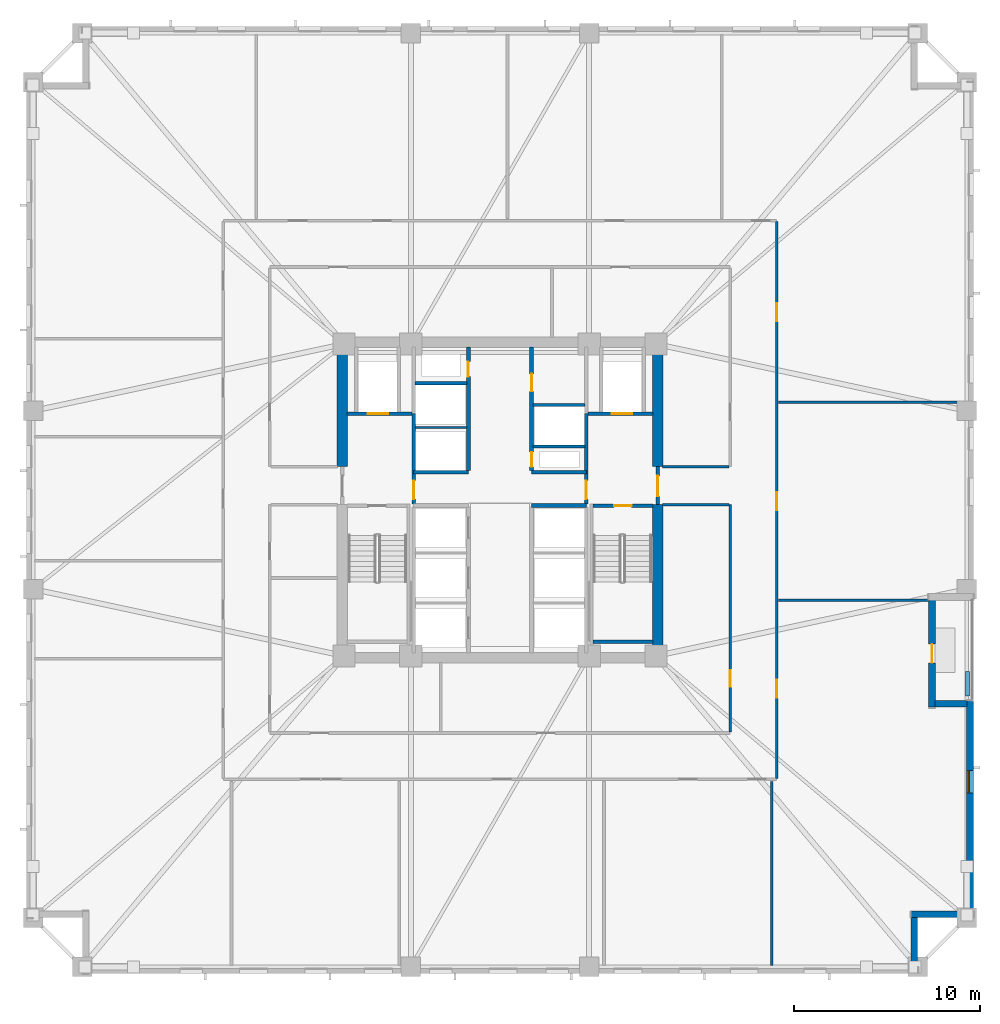
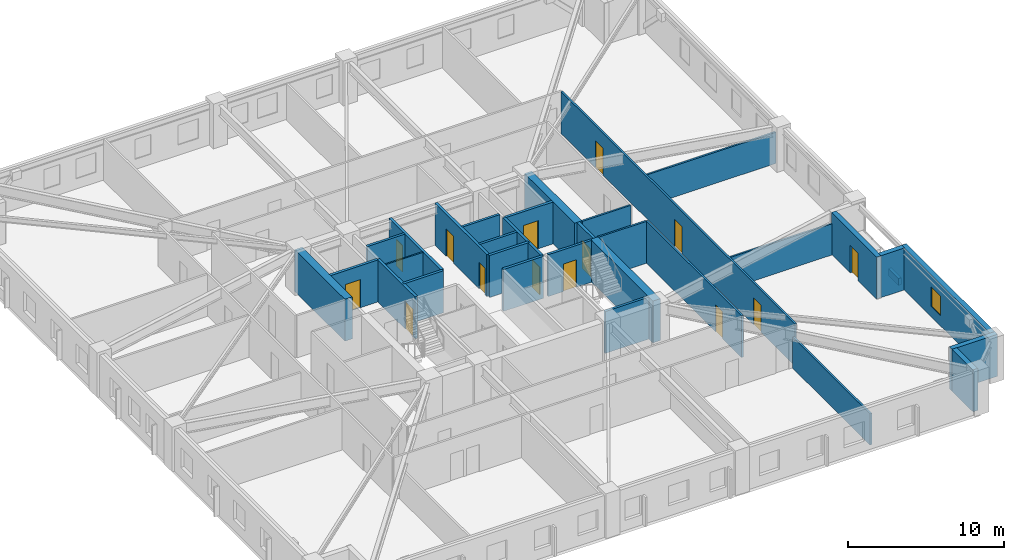
# One storey, part 4 of 11: 32 walls, 14 doors, 1 window, 15 openings.
"""IFC4 building model written with IfcOpenShell, lengths in metres."""

from ifc_helpers import new_model, si_unit, direction, frame, frame_2d, origin, place, context, subcontext, project, spatial, rectangle, extrude, material, layer, layer_set, type_object, element, fill, save


model = new_model("IFC4")

# Units and contexts
model_context = context("Model", 3, precision=1e-05, world=origin(), true_north=direction((0.0, 1.0)))
body_context = subcontext(model_context, "Body", "Model", "MODEL_VIEW")
ifc_project = project(units=[si_unit("LENGTHUNIT", "METRE"), si_unit("AREAUNIT", "SQUARE_METRE"), si_unit("VOLUMEUNIT", "CUBIC_METRE"), si_unit("PLANEANGLEUNIT", "RADIAN"), si_unit("MASSUNIT", "GRAM", prefix="KILO")], contexts=[model_context])

# Site, building, storey
site_placement = place(None, origin())
site = spatial("IfcSite", under=ifc_project, at=site_placement, CompositionType="ELEMENT")
building_placement = place(site_placement, origin())
building = spatial("IfcBuilding", under=site, at=building_placement, Name="Cairnveth Concourse Tower", CompositionType="ELEMENT")
storey_placement = place(building_placement, frame((0.0, 0.0, 62.0)))
storey = spatial("IfcBuildingStorey", under=building, at=storey_placement, Name="L16", CompositionType="ELEMENT", Elevation=62.0)

# Walls
ifc_material_1 = material(Name="Concrete N80 (80 MPa)", Category="concrete")
ifc_layer_1 = layer(ifc_material_1, 0.550048828125)
ifc_layer_set_1 = layer_set([ifc_layer_1], Name="Concrete N80 (80 MPa)")
wall_type_1 = type_object("IfcWallType", Name="CORE SHEAR WALL 550", PredefinedType="SHEAR", material=ifc_layer_set_1)
wall_1_placement = place(storey_placement, frame((43.5, 40.800048828125, 0.0), z_axis=(0.0, 0.0, 1.0), x_axis=(0.0, 1.0, 0.0)))
element("IfcWall", 1, at=wall_1_placement, inside=storey, type_object=wall_type_1, Name="Core West Shear Wall N L16", PredefinedType="SHEAR", context=body_context, shape_type="SweptSolid", body=[
    extrude(rectangle(XDim=6.43505859375, YDim=0.550048828125, at=frame_2d((3.217529296875, 0.0))), origin(), (0.0, 0.0, 1.0), 3.280029296875),
])
wall_2_placement = place(storey_placement, frame((60.5, 30.764892578125, 0.0), z_axis=(0.0, 0.0, 1.0), x_axis=(0.0, 1.0, 0.0)))
element("IfcWall", 2, at=wall_2_placement, inside=storey, type_object=wall_type_1, Name="Core East Shear Wall S L16", PredefinedType="SHEAR", context=body_context, shape_type="SweptSolid", body=[
    extrude(rectangle(XDim=7.985107421875, YDim=0.550048828125, at=frame_2d((3.99267578125, 0.0))), origin(), (0.0, 0.0, 1.0), 3.280029296875),
])
wall_3_placement = place(storey_placement, frame((60.5, 40.800048828125, 0.0), z_axis=(0.0, 0.0, 1.0), x_axis=(0.0, 1.0, 0.0)))
element("IfcWall", 3, at=wall_3_placement, inside=storey, type_object=wall_type_1, Name="Core East Shear Wall N L16", PredefinedType="SHEAR", context=body_context, shape_type="SweptSolid", body=[
    extrude(rectangle(XDim=6.43505859375, YDim=0.550048828125, at=frame_2d((3.217529296875, 0.0))), origin(), (0.0, 0.0, 1.0), 3.280029296875),
])
ifc_material_2 = material(Name="Concrete N50 (50 MPa)", Category="concrete")
ifc_layer_2 = layer(ifc_material_2, 0.179931640625)
ifc_layer_set_2 = layer_set([ifc_layer_2], Name="Concrete N50 (50 MPa)")
wall_type_2 = type_object("IfcWallType", Name="FIRE SHAFT WALL 180", PredefinedType="SOLIDWALL", material=ifc_layer_set_2)
wall_4_placement = place(storey_placement, frame((47.425048828125, 45.280029296875, 0.0), z_axis=(0.0, 0.0, 1.0), x_axis=(1.0, 0.0, 0.0)))
element("IfcWall", 4, at=wall_4_placement, inside=storey, type_object=wall_type_2, Name="Interior Wall IW-L16-033", PredefinedType="SOLIDWALL", context=body_context, shape_type="SweptSolid", body=[
    extrude(rectangle(XDim=2.7900390625, YDim=0.179931640625, at=frame_2d((1.39501953125, 0.0))), origin(), (0.0, 0.0, 1.0), 3.280029296875),
])
wall_5_placement = place(storey_placement, frame((53.784912109375, 41.8798828125, 0.0), z_axis=(0.0, 0.0, 1.0), x_axis=(1.0, 0.0, 0.0)))
element("IfcWall", 5, at=wall_5_placement, inside=storey, type_object=wall_type_2, Name="Interior Wall IW-L16-035", PredefinedType="SOLIDWALL", context=body_context, shape_type="SweptSolid", body=[
    extrude(rectangle(XDim=2.780029296875, YDim=0.179931640625, at=frame_2d((1.39013671875, 0.0))), origin(), (0.0, 0.0, 1.0), 3.280029296875),
])
wall_6_placement = place(storey_placement, frame((53.784912109375, 44.1201171875, 0.0), z_axis=(0.0, 0.0, 1.0), x_axis=(1.0, 0.0, 0.0)))
element("IfcWall", 6, at=wall_6_placement, inside=storey, type_object=wall_type_2, Name="Interior Wall IW-L16-036", PredefinedType="SOLIDWALL", context=body_context, shape_type="SweptSolid", body=[
    extrude(rectangle(XDim=2.7900390625, YDim=0.179931640625, at=frame_2d((1.39501953125, 0.0))), origin(), (0.0, 0.0, 1.0), 3.280029296875),
])

# Wall, opening, door
wall_7_placement = place(storey_placement, frame((57.0048828125, 38.68994140625, 0.0), z_axis=(0.0, 0.0, 1.0), x_axis=(1.0, 0.0, 0.0)))
wall_7 = element("IfcWall", 7, at=wall_7_placement, inside=storey, type_object=wall_type_2, Name="Stair ST-2 Shaft Wall NEAR L16", PredefinedType="SOLIDWALL", context=body_context, shape_type="SweptSolid", body=[
    extrude(rectangle(XDim=3.230224609375, YDim=0.179931640625, at=frame_2d((1.615234375, 0.0))), origin(), (0.0, 0.0, 1.0), 3.280029296875),
])
opening_1_placement = place(wall_7_placement, frame((1.139892578125, 0.0, 0.0)))
opening_1 = element("IfcOpeningElement", 8, at=opening_1_placement, cuts=wall_7, Name="Opening ID12", PredefinedType="OPENING", context=body_context, shape_type="SweptSolid", body=[
    extrude(rectangle(XDim=0.949951171875, YDim=2.14990234375, at=frame_2d((0.47509765625, 1.074951171875))), frame((0.0, 0.099853515625, 0.0), z_axis=(0.0, -1.0, 0.0), x_axis=(1.0, 0.0, 0.0)), (0.0, 0.0, 1.0), 0.199951171875),
])
ifc_material_3 = material(Name="Steel Grade 350", Category="steel")
door_type_1 = type_object("IfcDoorType", Name="FIRE STAIR DOOR 950X2150", OperationType="NOTDEFINED", PredefinedType="DOOR", material=ifc_material_3)
door_1_placement = place(opening_1_placement, origin())
door_1 = element("IfcDoor", 9, at=door_1_placement, inside=storey, type_object=door_type_1, Name="Stair ST-2 Fire Door L16", OperationType="SINGLE_SWING_RIGHT", OverallHeight=2.14990234375, OverallWidth=0.949951171875, PredefinedType="DOOR", context=body_context, shape_type="SweptSolid", body=[
    extrude(rectangle(XDim=0.949951171875, YDim=2.14990234375, at=frame_2d((0.47509765625, 1.074951171875))), frame((0.0, 0.02490234375, 0.0), z_axis=(0.0, -1.0, 0.0), x_axis=(1.0, 0.0, 0.0)), (0.0, 0.0, 1.0), 0.050048828125),
])
fill(opening_1, door_1)

# Walls
wall_8_placement = place(storey_placement, frame((57.0048828125, 31.360107421875, 0.0), z_axis=(0.0, 0.0, 1.0), x_axis=(1.0, 0.0, 0.0)))
element("IfcWall", 10, at=wall_8_placement, inside=storey, type_object=wall_type_2, Name="Stair ST-2 Shaft Wall FAR L16", PredefinedType="SOLIDWALL", context=body_context, shape_type="SweptSolid", body=[
    extrude(rectangle(XDim=3.230224609375, YDim=0.179931640625, at=frame_2d((1.615234375, 0.0))), origin(), (0.0, 0.0, 1.0), 3.280029296875),
])
ifc_layer_3 = layer(ifc_material_2, 0.199951171875)
ifc_layer_set_3 = layer_set([ifc_layer_3], Name="Concrete N50 (50 MPa)")
wall_type_3 = type_object("IfcWallType", Name="FIRE SHAFT WALL 200", PredefinedType="SOLIDWALL", material=ifc_layer_set_3)
for number, where, z_axis, x_axis, name in (
    (11, (47.35009765625, 40.5, 0.0), (0.0, 0.0, 1.0), (1.0, 0.0, 0.0), "Interior Wall IW-L16-008"),
    (12, (53.699951171875, 38.699951171875, 0.0), (0.0, 0.0, 1.0), (1.0, 0.0, 0.0), "Interior Wall IW-L16-009"),
    (13, (53.699951171875, 40.5, 0.0), (0.0, 0.0, 1.0), (1.0, 0.0, 0.0), "Interior Wall IW-L16-010"),
):
    element("IfcWall", number, at=place(storey_placement, frame(where, z_axis=z_axis, x_axis=x_axis)), inside=storey, type_object=wall_type_3, Name=name, PredefinedType="SOLIDWALL", context=body_context, shape_type="SweptSolid", body=[
        extrude(rectangle(XDim=2.949951171875, YDim=0.199951171875, at=frame_2d((1.47509765625, 0.0))), origin(), (0.0, 0.0, 1.0), 3.280029296875),
    ])

# Wall, opening, door
wall_9_placement = place(storey_placement, frame((50.300048828125, 40.5849609375, 0.0), z_axis=(0.0, 0.0, 1.0), x_axis=(0.0, 1.0, 0.0)))
wall_9 = element("IfcWall", 14, at=wall_9_placement, inside=storey, type_object=wall_type_3, Name="Interior Wall IW-L16-013", PredefinedType="SOLIDWALL", context=body_context, shape_type="SweptSolid", body=[
    extrude(rectangle(XDim=6.655029296875, YDim=0.199951171875, at=frame_2d((3.32763671875, 0.0))), origin(), (0.0, 0.0, 1.0), 3.280029296875),
])
opening_2_placement = place(wall_9_placement, frame((5.06494140625, 0.0, 0.0)))
opening_2 = element("IfcOpeningElement", 15, at=opening_2_placement, cuts=wall_9, Name="Opening ID24", PredefinedType="OPENING", context=body_context, shape_type="SweptSolid", body=[
    extrude(rectangle(XDim=0.800048828125, YDim=2.080078125, at=frame_2d((0.39990234375, 1.0400390625))), frame((0.0, 0.10986328125, 0.0), z_axis=(0.0, -1.0, 0.0), x_axis=(1.0, 0.0, 0.0)), (0.0, 0.0, 1.0), 0.219970703125),
])
door_type_2 = type_object("IfcDoorType", Name="RISER ACCESS DOOR 800X2100", OperationType="NOTDEFINED", PredefinedType="DOOR", material=ifc_material_3)
door_2_placement = place(opening_2_placement, origin())
door_2 = element("IfcDoor", 16, at=door_2_placement, inside=storey, type_object=door_type_2, Name="NW Electrical Riser Access Door L16", OperationType="SINGLE_SWING_RIGHT", OverallHeight=2.080078125, OverallWidth=0.800048828125, PredefinedType="DOOR", context=body_context, shape_type="SweptSolid", body=[
    extrude(rectangle(XDim=0.800048828125, YDim=2.080078125, at=frame_2d((0.39990234375, 1.0400390625))), frame((0.0, 0.02490234375, 0.0), z_axis=(0.0, -1.0, 0.0), x_axis=(1.0, 0.0, 0.0)), (0.0, 0.0, 1.0), 0.050048828125),
])
fill(opening_2, door_2)

# Wall, openings, doors
wall_10_placement = place(storey_placement, frame((53.699951171875, 40.5849609375, 0.0), z_axis=(0.0, 0.0, 1.0), x_axis=(0.0, 1.0, 0.0)))
wall_10 = element("IfcWall", 17, at=wall_10_placement, inside=storey, type_object=wall_type_3, Name="Interior Wall IW-L16-014", PredefinedType="SOLIDWALL", context=body_context, shape_type="SweptSolid", body=[
    extrude(rectangle(XDim=6.655029296875, YDim=0.199951171875, at=frame_2d((3.32763671875, 0.0))), origin(), (0.0, 0.0, 1.0), 3.280029296875),
])
opening_3_placement = place(wall_10_placement, frame((0.195068359375, 0.0, 0.0)))
opening_3 = element("IfcOpeningElement", 18, at=opening_3_placement, cuts=wall_10, Name="Opening ID24", PredefinedType="OPENING", context=body_context, shape_type="SweptSolid", body=[
    extrude(rectangle(XDim=0.800048828125, YDim=2.080078125, at=frame_2d((0.39990234375, 1.0400390625))), frame((0.0, 0.10986328125, 0.0), z_axis=(0.0, -1.0, 0.0), x_axis=(1.0, 0.0, 0.0)), (0.0, 0.0, 1.0), 0.219970703125),
])
opening_4_placement = place(wall_10_placement, frame((4.264892578125, 0.0, 0.0)))
opening_4 = element("IfcOpeningElement", 19, at=opening_4_placement, cuts=wall_10, Name="Opening ID25", PredefinedType="OPENING", context=body_context, shape_type="SweptSolid", body=[
    extrude(rectangle(XDim=0.949951171875, YDim=2.1201171875, at=frame_2d((0.47509765625, 1.06005859375))), frame((0.0, 0.10986328125, 0.0), z_axis=(0.0, -1.0, 0.0), x_axis=(1.0, 0.0, 0.0)), (0.0, 0.0, 1.0), 0.219970703125),
])
door_type_3 = type_object("IfcDoorType", Name="CORE ACCESSIBLE FIRE DOOR 950X2120", OperationType="NOTDEFINED", PredefinedType="DOOR", material=ifc_material_3)
door_3_placement = place(opening_4_placement, origin())
door_3 = element("IfcDoor", 20, at=door_3_placement, inside=storey, type_object=door_type_3, Name="Core NE Accessible WC Door L16", OperationType="SINGLE_SWING_RIGHT", OverallHeight=2.1201171875, OverallWidth=0.949951171875, PredefinedType="DOOR", context=body_context, shape_type="SweptSolid", body=[
    extrude(rectangle(XDim=0.949951171875, YDim=2.1201171875, at=frame_2d((0.47509765625, 1.06005859375))), frame((0.0, 0.02490234375, 0.0), z_axis=(0.0, -1.0, 0.0), x_axis=(1.0, 0.0, 0.0)), (0.0, 0.0, 1.0), 0.050048828125),
])
fill(opening_4, door_3)
door_4_placement = place(opening_3_placement, origin())
door_4 = element("IfcDoor", 21, at=door_4_placement, inside=storey, type_object=door_type_2, Name="Hydraulic Riser Door L16", OperationType="SINGLE_SWING_LEFT", OverallHeight=2.080078125, OverallWidth=0.800048828125, PredefinedType="DOOR", context=body_context, shape_type="SweptSolid", body=[
    extrude(rectangle(XDim=0.800048828125, YDim=2.080078125, at=frame_2d((0.39990234375, 1.0400390625))), frame((0.0, 0.02490234375, 0.0), z_axis=(0.0, -1.0, 0.0), x_axis=(1.0, 0.0, 0.0)), (0.0, 0.0, 1.0), 0.050048828125),
])
fill(opening_3, door_4)

# Wall, opening, door
wall_11_placement = place(storey_placement, frame((47.35009765625, 38.784912109375, 0.0), z_axis=(0.0, 0.0, 1.0), x_axis=(0.0, 1.0, 0.0)))
wall_11 = element("IfcWall", 22, at=wall_11_placement, inside=storey, type_object=wall_type_3, Name="Interior Wall IW-L16-016", PredefinedType="SOLIDWALL", context=body_context, shape_type="SweptSolid", body=[
    extrude(rectangle(XDim=4.864990234375, YDim=0.199951171875, at=frame_2d((2.4326171875, 0.0))), origin(), (0.0, 0.0, 1.0), 3.280029296875),
])
opening_5_placement = place(wall_11_placement, frame((0.264892578125, 0.0, 0.0)))
opening_5 = element("IfcOpeningElement", 23, at=opening_5_placement, cuts=wall_11, Name="Opening ID07", PredefinedType="OPENING", context=body_context, shape_type="SweptSolid", body=[
    extrude(rectangle(XDim=1.0, YDim=2.14990234375, at=frame_2d((0.5, 1.074951171875))), frame((0.0, 0.10986328125, 0.0), z_axis=(0.0, -1.0, 0.0), x_axis=(1.0, 0.0, 0.0)), (0.0, 0.0, 1.0), 0.219970703125),
])
door_type_4 = type_object("IfcDoorType", Name="FIRE CORRIDOR DOOR 1000X2150", OperationType="NOTDEFINED", PredefinedType="DOOR", material=ifc_material_3)
door_5_placement = place(opening_5_placement, origin())
door_5 = element("IfcDoor", 24, at=door_5_placement, inside=storey, type_object=door_type_4, Name="FF Lobby West to Lift Lobby Door L16", OperationType="SINGLE_SWING_RIGHT", OverallHeight=2.14990234375, OverallWidth=1.0, PredefinedType="DOOR", context=body_context, shape_type="SweptSolid", body=[
    extrude(rectangle(XDim=1.0, YDim=2.14990234375, at=frame_2d((0.5, 1.074951171875))), frame((0.0, 0.02490234375, 0.0), z_axis=(0.0, -1.0, 0.0), x_axis=(1.0, 0.0, 0.0)), (0.0, 0.0, 1.0), 0.050048828125),
])
fill(opening_5, door_5)

wall_12_placement = place(storey_placement, frame((43.760009765625, 43.64990234375, 0.0), z_axis=(0.0, 0.0, 1.0), x_axis=(1.0, 0.0, 0.0)))
wall_12 = element("IfcWall", 25, at=wall_12_placement, inside=storey, type_object=wall_type_3, Name="Interior Wall IW-L16-017", PredefinedType="SOLIDWALL", context=body_context, shape_type="SweptSolid", body=[
    extrude(rectangle(XDim=3.5048828125, YDim=0.199951171875, at=frame_2d((1.75244140625, 0.0))), origin(), (0.0, 0.0, 1.0), 3.280029296875),
])
opening_6_placement = place(wall_12_placement, frame((1.110107421875, 0.0, 0.0)))
opening_6 = element("IfcOpeningElement", 26, at=opening_6_placement, cuts=wall_12, Name="Opening LD-1", PredefinedType="OPENING", context=body_context, shape_type="SweptSolid", body=[
    extrude(rectangle(XDim=1.10009765625, YDim=2.199951171875, at=frame_2d((0.550048828125, 1.10009765625))), frame((0.0, 0.10986328125, 0.0), z_axis=(0.0, -1.0, 0.0), x_axis=(1.0, 0.0, 0.0)), (0.0, 0.0, 1.0), 0.219970703125),
])
ifc_material_4 = material(Name="Architectural Bronze Anodised Aluminium 6063-T6", Category="aluminium")
door_type_5 = type_object("IfcDoorType", Name="LIFT LANDING DOOR 1100X2200", OperationType="SLIDING_TO_LEFT", PredefinedType="DOOR", material=ifc_material_4)
door_6_placement = place(opening_6_placement, origin())
door_6 = element("IfcDoor", 27, at=door_6_placement, inside=storey, type_object=door_type_5, Name="Lift FFL1 Landing Door L16", OperationType="SLIDING_TO_LEFT", OverallHeight=2.199951171875, OverallWidth=1.10009765625, PredefinedType="DOOR", context=body_context, shape_type="SweptSolid", body=[
    extrude(rectangle(XDim=1.10009765625, YDim=2.199951171875, at=frame_2d((0.550048828125, 1.10009765625))), frame((0.0, 0.02490234375, 0.0), z_axis=(0.0, -1.0, 0.0), x_axis=(1.0, 0.0, 0.0)), (0.0, 0.0, 1.0), 0.050048828125),
])
fill(opening_6, door_6)

wall_13_placement = place(storey_placement, frame((60.5, 38.75, 0.0), z_axis=(0.0, 0.0, 1.0), x_axis=(0.0, 1.0, 0.0)))
wall_13 = element("IfcWall", 28, at=wall_13_placement, inside=storey, type_object=wall_type_3, Name="Interior Wall IW-L16-020", PredefinedType="SOLIDWALL", context=body_context, shape_type="SweptSolid", body=[
    extrude(rectangle(XDim=2.050048828125, YDim=0.199951171875, at=frame_2d((1.02490234375, 0.0))), origin(), (0.0, 0.0, 1.0), 3.280029296875),
])
opening_7_placement = place(wall_13_placement, frame((0.449951171875, 0.0, 0.0)))
opening_7 = element("IfcOpeningElement", 29, at=opening_7_placement, cuts=wall_13, Name="Opening ID06", PredefinedType="OPENING", context=body_context, shape_type="SweptSolid", body=[
    extrude(rectangle(XDim=1.10009765625, YDim=2.14990234375, at=frame_2d((0.550048828125, 1.074951171875))), frame((0.0, 0.10986328125, 0.0), z_axis=(0.0, -1.0, 0.0), x_axis=(1.0, 0.0, 0.0)), (0.0, 0.0, 1.0), 0.219970703125),
])
door_type_6 = type_object("IfcDoorType", Name="FIRE CORRIDOR DOOR 1100X2150", OperationType="NOTDEFINED", PredefinedType="DOOR", material=ifc_material_3)
door_7_placement = place(opening_7_placement, origin())
door_7 = element("IfcDoor", 30, at=door_7_placement, inside=storey, type_object=door_type_6, Name="East Wing to FF Lobby Door L16", OperationType="SINGLE_SWING_RIGHT", OverallHeight=2.14990234375, OverallWidth=1.10009765625, PredefinedType="DOOR", context=body_context, shape_type="SweptSolid", body=[
    extrude(rectangle(XDim=1.10009765625, YDim=2.14990234375, at=frame_2d((0.550048828125, 1.074951171875))), frame((0.0, 0.02490234375, 0.0), z_axis=(0.0, -1.0, 0.0), x_axis=(1.0, 0.0, 0.0)), (0.0, 0.0, 1.0), 0.050048828125),
])
fill(opening_7, door_7)

wall_14_placement = place(storey_placement, frame((56.64990234375, 38.784912109375, 0.0), z_axis=(0.0, 0.0, 1.0), x_axis=(0.0, 1.0, 0.0)))
wall_14 = element("IfcWall", 31, at=wall_14_placement, inside=storey, type_object=wall_type_3, Name="Interior Wall IW-L16-021", PredefinedType="SOLIDWALL", context=body_context, shape_type="SweptSolid", body=[
    extrude(rectangle(XDim=4.864990234375, YDim=0.199951171875, at=frame_2d((2.4326171875, 0.0))), origin(), (0.0, 0.0, 1.0), 3.280029296875),
])
opening_8_placement = place(wall_14_placement, frame((0.264892578125, 0.0, 0.0)))
opening_8 = element("IfcOpeningElement", 32, at=opening_8_placement, cuts=wall_14, Name="Opening ID07", PredefinedType="OPENING", context=body_context, shape_type="SweptSolid", body=[
    extrude(rectangle(XDim=1.0, YDim=2.14990234375, at=frame_2d((0.5, 1.074951171875))), frame((0.0, 0.10986328125, 0.0), z_axis=(0.0, -1.0, 0.0), x_axis=(1.0, 0.0, 0.0)), (0.0, 0.0, 1.0), 0.219970703125),
])
door_8_placement = place(opening_8_placement, origin())
door_8 = element("IfcDoor", 33, at=door_8_placement, inside=storey, type_object=door_type_4, Name="FF Lobby East to Lift Lobby Door L16", OperationType="SINGLE_SWING_LEFT", OverallHeight=2.14990234375, OverallWidth=1.0, PredefinedType="DOOR", context=body_context, shape_type="SweptSolid", body=[
    extrude(rectangle(XDim=1.0, YDim=2.14990234375, at=frame_2d((0.5, 1.074951171875))), frame((0.0, 0.02490234375, 0.0), z_axis=(0.0, -1.0, 0.0), x_axis=(1.0, 0.0, 0.0)), (0.0, 0.0, 1.0), 0.050048828125),
])
fill(opening_8, door_8)

wall_15_placement = place(storey_placement, frame((56.735107421875, 43.64990234375, 0.0), z_axis=(0.0, 0.0, 1.0), x_axis=(1.0, 0.0, 0.0)))
wall_15 = element("IfcWall", 34, at=wall_15_placement, inside=storey, type_object=wall_type_3, Name="Interior Wall IW-L16-022", PredefinedType="SOLIDWALL", context=body_context, shape_type="SweptSolid", body=[
    extrude(rectangle(XDim=3.5048828125, YDim=0.199951171875, at=frame_2d((1.75244140625, 0.0))), origin(), (0.0, 0.0, 1.0), 3.280029296875),
])
opening_9_placement = place(wall_15_placement, frame((1.294921875, 0.0, 0.0)))
opening_9 = element("IfcOpeningElement", 35, at=opening_9_placement, cuts=wall_15, Name="Opening LD-1", PredefinedType="OPENING", context=body_context, shape_type="SweptSolid", body=[
    extrude(rectangle(XDim=1.10009765625, YDim=2.199951171875, at=frame_2d((0.550048828125, 1.10009765625))), frame((0.0, 0.10986328125, 0.0), z_axis=(0.0, -1.0, 0.0), x_axis=(1.0, 0.0, 0.0)), (0.0, 0.0, 1.0), 0.219970703125),
])
door_9_placement = place(opening_9_placement, origin())
door_9 = element("IfcDoor", 36, at=door_9_placement, inside=storey, type_object=door_type_5, Name="Lift FFL2 Landing Door L16", OperationType="SLIDING_TO_LEFT", OverallHeight=2.199951171875, OverallWidth=1.10009765625, PredefinedType="DOOR", context=body_context, shape_type="SweptSolid", body=[
    extrude(rectangle(XDim=1.10009765625, YDim=2.199951171875, at=frame_2d((0.550048828125, 1.10009765625))), frame((0.0, 0.02490234375, 0.0), z_axis=(0.0, -1.0, 0.0), x_axis=(1.0, 0.0, 0.0)), (0.0, 0.0, 1.0), 0.050048828125),
])
fill(opening_9, door_9)

# Wall, openings, doors
ifc_material_5 = material(Name="Gypsum Plasterboard Partition", Category="gypsum")
ifc_layer_4 = layer(ifc_material_5, 0.139892578125)
ifc_layer_set_4 = layer_set([ifc_layer_4], Name="Gypsum Plasterboard Partition")
wall_type_4 = type_object("IfcWallType", Name="GYPSUM STUD PARTITION 140", PredefinedType="PARTITIONING", material=ifc_layer_set_4)
wall_16_placement = place(storey_placement, frame((66.89990234375, 24.0048828125, 0.0), z_axis=(0.0, 0.0, 1.0), x_axis=(0.0, 1.0, 0.0)))
wall_16 = element("IfcWall", 37, at=wall_16_placement, inside=storey, type_object=wall_type_4, Name="Interior Wall IW-L16-040", PredefinedType="PARTITIONING", context=body_context, shape_type="SweptSolid", body=[
    extrude(rectangle(XDim=29.990234375, YDim=0.139892578125, at=frame_2d((14.9951171875, 0.0))), origin(), (0.0, 0.0, 1.0), 3.280029296875),
])
opening_10_placement = place(wall_16_placement, frame((4.343505859375, 0.0, 0.0)))
opening_10 = element("IfcOpeningElement", 38, at=opening_10_placement, cuts=wall_16, Name="Opening ID11", PredefinedType="OPENING", context=body_context, shape_type="SweptSolid", body=[
    extrude(rectangle(XDim=0.9599609375, YDim=2.1201171875, at=frame_2d((0.47998046875, 1.06005859375))), frame((0.0, 0.079833984375, 0.0), z_axis=(0.0, -1.0, 0.0), x_axis=(1.0, 0.0, 0.0)), (0.0, 0.0, 1.0), 0.159912109375),
])
opening_11_placement = place(wall_16_placement, frame((14.451904296875, 0.0, 0.0)))
opening_11 = element("IfcOpeningElement", 39, at=opening_11_placement, cuts=wall_16, Name="Opening ID11", PredefinedType="OPENING", context=body_context, shape_type="SweptSolid", body=[
    extrude(rectangle(XDim=0.9599609375, YDim=2.1201171875, at=frame_2d((0.47998046875, 1.06005859375))), frame((0.0, 0.079833984375, 0.0), z_axis=(0.0, -1.0, 0.0), x_axis=(1.0, 0.0, 0.0)), (0.0, 0.0, 1.0), 0.159912109375),
])
opening_12_placement = place(wall_16_placement, frame((24.623291015625, 0.0, 0.0)))
opening_12 = element("IfcOpeningElement", 40, at=opening_12_placement, cuts=wall_16, Name="Opening ID11", PredefinedType="OPENING", context=body_context, shape_type="SweptSolid", body=[
    extrude(rectangle(XDim=0.9599609375, YDim=2.1201171875, at=frame_2d((0.47998046875, 1.06005859375))), frame((0.0, 0.079833984375, 0.0), z_axis=(0.0, -1.0, 0.0), x_axis=(1.0, 0.0, 0.0)), (0.0, 0.0, 1.0), 0.159912109375),
])
ifc_material_6 = material(Name="Solid Core Hardwood Timber Leaf", Category="wood")
door_type_7 = type_object("IfcDoorType", Name="INTERIOR SINGLE DOOR 960X2150", OperationType="NOTDEFINED", PredefinedType="DOOR", material=ifc_material_6)
door_10_placement = place(opening_10_placement, origin())
door_10 = element("IfcDoor", 41, at=door_10_placement, inside=storey, type_object=door_type_7, Name="Office Door L16-E1", OperationType="SINGLE_SWING_RIGHT", OverallHeight=2.1201171875, OverallWidth=0.9599609375, PredefinedType="DOOR", context=body_context, shape_type="SweptSolid", body=[
    extrude(rectangle(XDim=0.9599609375, YDim=2.1201171875, at=frame_2d((0.47998046875, 1.06005859375))), frame((0.0, 0.02490234375, 0.0), z_axis=(0.0, -1.0, 0.0), x_axis=(1.0, 0.0, 0.0)), (0.0, 0.0, 1.0), 0.050048828125),
])
fill(opening_10, door_10)
door_11_placement = place(opening_11_placement, origin())
door_11 = element("IfcDoor", 42, at=door_11_placement, inside=storey, type_object=door_type_7, Name="Office Door L16-E2", OperationType="SINGLE_SWING_LEFT", OverallHeight=2.1201171875, OverallWidth=0.9599609375, PredefinedType="DOOR", context=body_context, shape_type="SweptSolid", body=[
    extrude(rectangle(XDim=0.9599609375, YDim=2.1201171875, at=frame_2d((0.47998046875, 1.06005859375))), frame((0.0, 0.02490234375, 0.0), z_axis=(0.0, -1.0, 0.0), x_axis=(1.0, 0.0, 0.0)), (0.0, 0.0, 1.0), 0.050048828125),
])
fill(opening_11, door_11)
door_12_placement = place(opening_12_placement, origin())
door_12 = element("IfcDoor", 43, at=door_12_placement, inside=storey, type_object=door_type_7, Name="Office Door L16-E3", OperationType="SINGLE_SWING_RIGHT", OverallHeight=2.1201171875, OverallWidth=0.9599609375, PredefinedType="DOOR", context=body_context, shape_type="SweptSolid", body=[
    extrude(rectangle(XDim=0.9599609375, YDim=2.1201171875, at=frame_2d((0.47998046875, 1.06005859375))), frame((0.0, 0.02490234375, 0.0), z_axis=(0.0, -1.0, 0.0), x_axis=(1.0, 0.0, 0.0)), (0.0, 0.0, 1.0), 0.050048828125),
])
fill(opening_12, door_12)

# Wall, opening, door
wall_17_placement = place(storey_placement, frame((64.39990234375, 26.5048828125, 0.0), z_axis=(0.0, 0.0, 1.0), x_axis=(0.0, 1.0, 0.0)))
wall_17 = element("IfcWall", 44, at=wall_17_placement, inside=storey, type_object=wall_type_4, Name="Interior Wall IW-L16-047", PredefinedType="PARTITIONING", context=body_context, shape_type="SweptSolid", body=[
    extrude(rectangle(XDim=12.2451171875, YDim=0.139892578125, at=frame_2d((6.12255859375, 0.0))), origin(), (0.0, 0.0, 1.0), 3.280029296875),
])
opening_13_placement = place(wall_17_placement, frame((2.445068359375, 0.0, 0.0)))
opening_13 = element("IfcOpeningElement", 45, at=opening_13_placement, cuts=wall_17, Name="Opening ID18", PredefinedType="OPENING", context=body_context, shape_type="SweptSolid", body=[
    extrude(rectangle(XDim=0.8798828125, YDim=2.10009765625, at=frame_2d((0.43994140625, 1.050048828125))), frame((0.0, 0.079833984375, 0.0), z_axis=(0.0, -1.0, 0.0), x_axis=(1.0, 0.0, 0.0)), (0.0, 0.0, 1.0), 0.159912109375),
])
door_type_8 = type_object("IfcDoorType", Name="INTERIOR SINGLE DOOR 880X2100", OperationType="NOTDEFINED", PredefinedType="DOOR", material=ifc_material_6)
door_13_placement = place(opening_13_placement, origin())
door_13 = element("IfcDoor", 46, at=door_13_placement, inside=storey, type_object=door_type_8, Name="Interior Door DR-L16-020", OperationType="SINGLE_SWING_RIGHT", OverallHeight=2.10009765625, OverallWidth=0.8798828125, PredefinedType="DOOR", context=body_context, shape_type="SweptSolid", body=[
    extrude(rectangle(XDim=0.8798828125, YDim=2.10009765625, at=frame_2d((0.43994140625, 1.050048828125))), frame((0.0, 0.02490234375, 0.0), z_axis=(0.0, -1.0, 0.0), x_axis=(1.0, 0.0, 0.0)), (0.0, 0.0, 1.0), 0.050048828125),
])
fill(opening_13, door_13)

# Walls
for number, where, z_axis, x_axis, name in (
    (47, (60.760009765625, 38.75, 0.0), (0.0, 0.0, 1.0), (1.0, 0.0, 0.0), "Interior Wall IW-L16-049"),
    (48, (60.760009765625, 40.800048828125, 0.0), (0.0, 0.0, 1.0), (1.0, 0.0, 0.0), "Interior Wall IW-L16-050"),
):
    element("IfcWall", number, at=place(storey_placement, frame(where, z_axis=z_axis, x_axis=x_axis)), inside=storey, type_object=wall_type_4, Name=name, PredefinedType="PARTITIONING", context=body_context, shape_type="SweptSolid", body=[
        extrude(rectangle(XDim=3.5849609375, YDim=0.139892578125, at=frame_2d((1.79248046875, 0.0))), origin(), (0.0, 0.0, 1.0), 3.280029296875),
    ])
wall_18_placement = place(storey_placement, frame((66.64306640625, 13.919921875, 0.0), z_axis=(0.0, 0.0, 1.0), x_axis=(0.0, 1.0, 0.0)))
element("IfcWall", 49, at=wall_18_placement, inside=storey, type_object=wall_type_4, Name="Interior Wall IW-L16-057", PredefinedType="PARTITIONING", context=body_context, shape_type="SweptSolid", body=[
    extrude(rectangle(XDim=9.93017578125, YDim=0.139892578125, at=frame_2d((4.965087890625, 0.0))), origin(), (0.0, 0.0, 1.0), 2.43896484375),
])
wall_19_placement = place(storey_placement, frame((67.0, 33.607177734375, 0.0), z_axis=(0.0, 0.0, 1.0), x_axis=(1.0, 0.0, 0.0)))
element("IfcWall", 50, at=wall_19_placement, inside=storey, type_object=wall_type_4, Name="Interior Wall IW-L16-065", PredefinedType="PARTITIONING", context=body_context, shape_type="SweptSolid", body=[
    extrude(rectangle(XDim=8.10009765625, YDim=0.139892578125, at=frame_2d((4.050048828125, 0.0))), origin(), (0.0, 0.0, 1.0), 2.43896484375),
])
wall_20_placement = place(storey_placement, frame((67.0, 44.266845703125, 0.0), z_axis=(0.0, 0.0, 1.0), x_axis=(1.0, 0.0, 0.0)))
element("IfcWall", 51, at=wall_20_placement, inside=storey, type_object=wall_type_4, Name="Interior Wall IW-L16-066", PredefinedType="PARTITIONING", context=body_context, shape_type="SweptSolid", body=[
    extrude(rectangle(XDim=10.080078125, YDim=0.139892578125, at=frame_2d((5.0400390625, 0.0))), origin(), (0.0, 0.0, 1.0), 2.43896484375),
])
ifc_layer_5 = layer(ifc_material_5, 0.110107421875)
ifc_layer_set_5 = layer_set([ifc_layer_5], Name="Gypsum Plasterboard Partition")
wall_type_5 = type_object("IfcWallType", Name="SHAFT DIVIDER WALL 140", PredefinedType="PARTITIONING", material=ifc_layer_set_5)
wall_21_placement = place(storey_placement, frame((47.43505859375, 42.89990234375, 0.0), z_axis=(0.0, 0.0, 1.0), x_axis=(1.0, 0.0, 0.0)))
element("IfcWall", 52, at=wall_21_placement, inside=storey, type_object=wall_type_5, Name="Interior Wall IW-L16-032", PredefinedType="PARTITIONING", context=body_context, shape_type="SweptSolid", body=[
    extrude(rectangle(XDim=2.780029296875, YDim=0.110107421875, at=frame_2d((1.39013671875, 0.0))), origin(), (0.0, 0.0, 1.0), 3.280029296875),
])
ifc_material_7 = material(Name="Dressed Melbourne Bluestone Cladding", Category="masonry")
ifc_layer_6 = layer(ifc_material_7, 0.219970703125)
ifc_layer_set_6 = layer_set([ifc_layer_6], Name="Dressed Melbourne Bluestone Cladding")
wall_type_6 = type_object("IfcWallType", Name="TERRACE PLANTER CURB WALL 220", PredefinedType="PARAPET", material=ifc_layer_set_6)
wall_22_placement = place(storey_placement, frame((77.179931640625, 28.449951171875, 0.0), z_axis=(0.0, 0.0, 1.0), x_axis=(0.0, 1.0, 0.0)))
element("IfcWall", 53, at=wall_22_placement, inside=storey, type_object=wall_type_6, Name="Exterior Wall PLNT-L16-TERR", PredefinedType="PARAPET", context=body_context, shape_type="SweptSolid", body=[
    extrude(rectangle(XDim=1.300048828125, YDim=0.219970703125, at=frame_2d((0.64990234375, 0.0))), origin(), (0.0, 0.0, 1.0), 0.550048828125),
])

# Wall, opening, window
ifc_material_8 = material(Name="Hawthorn Red-Ochre Fired Clay Brick Masonry", Category="masonry")
ifc_layer_7 = layer(ifc_material_8, 0.360107421875)
ifc_layer_set_7 = layer_set([ifc_layer_7], Name="Hawthorn Red-Ochre Fired Clay Brick Masonry")
wall_type_7 = type_object("IfcWallType", Name="ZONE 1 BRICK PIER SPANDREL WALL 360", PredefinedType="SOLIDWALL", material=ifc_layer_set_7)
wall_23_placement = place(storey_placement, frame((77.320068359375, 28.199951171875, 0.0), z_axis=(0.0, 0.0, 1.0), x_axis=(0.0, -1.0, 0.0)))
wall_23 = element("IfcWall", 54, at=wall_23_placement, inside=storey, type_object=wall_type_7, Name="Exterior Wall EW-L16-S00", PredefinedType="SOLIDWALL", context=body_context, shape_type="SweptSolid", body=[
    extrude(rectangle(XDim=11.362060546875, YDim=0.360107421875, at=frame_2d((5.68115234375, 0.0))), origin(), (0.0, 0.0, 1.0), 3.280029296875),
])
opening_14_placement = place(wall_23_placement, frame((3.781005859375, 0.0, 0.800048828125)))
opening_14 = element("IfcOpeningElement", 55, at=opening_14_placement, cuts=wall_23, Name="Opening W01", PredefinedType="OPENING", context=body_context, shape_type="SweptSolid", body=[
    extrude(rectangle(XDim=1.199951171875, YDim=1.5439453125, at=frame_2d((0.60009765625, 0.77197265625))), frame((0.0, 0.18994140625, 0.0), z_axis=(0.0, -1.0, 0.0), x_axis=(1.0, 0.0, 0.0)), (0.0, 0.0, 1.0), 0.380126953125),
])
ifc_material_9 = material(Name="Double Glazed Low-E Clear Glass", Category="glass")
window_type = type_object("IfcWindowType", Name="DEEP-SET GOTHIC LANCET WINDOW 1200X1800", PartitioningType="DOUBLE_PANEL_VERTICAL", PredefinedType="WINDOW", material=ifc_material_9)
window_placement = place(opening_14_placement, origin())
window = element("IfcWindow", 56, at=window_placement, inside=storey, type_object=window_type, Name="Gothic Lancet Window L16-0-1", OverallHeight=1.5439453125, OverallWidth=1.199951171875, PartitioningType="SINGLE_PANEL", PredefinedType="WINDOW", context=body_context, shape_type="SweptSolid", body=[
    extrude(rectangle(XDim=1.199951171875, YDim=1.5439453125, at=frame_2d((0.60009765625, 0.77197265625))), frame((0.0, -0.050048828125, 0.0), z_axis=(0.0, -1.0, 0.0), x_axis=(1.0, 0.0, 0.0)), (0.0, 0.0, 1.0), 0.06005859375),
])
fill(opening_14, window)

# Walls
wall_24_placement = place(storey_placement, frame((77.5, 16.679931640625, 0.0), z_axis=(0.0, 0.0, 1.0), x_axis=(-1.0, 0.0, 0.0)))
element("IfcWall", 57, at=wall_24_placement, inside=storey, type_object=wall_type_7, Name="Exterior Wall EW-L16-S01", PredefinedType="SOLIDWALL", context=body_context, shape_type="SweptSolid", body=[
    extrude(rectangle(XDim=3.360107421875, YDim=0.360107421875, at=frame_2d((1.68017578125, 0.0))), origin(), (0.0, 0.0, 1.0), 3.280029296875),
])
wall_25_placement = place(storey_placement, frame((74.320068359375, 16.52197265625, 0.0), z_axis=(0.0, 0.0, 1.0), x_axis=(0.0, -1.0, 0.0)))
element("IfcWall", 58, at=wall_25_placement, inside=storey, type_object=wall_type_7, Name="Exterior Wall EW-L16-S02", PredefinedType="SOLIDWALL", context=body_context, shape_type="SweptSolid", body=[
    extrude(rectangle(XDim=2.68408203125, YDim=0.360107421875, at=frame_2d((1.342041015625, 0.0))), origin(), (0.0, 0.0, 1.0), 3.280029296875),
])

# Wall, opening, door
wall_26_placement = place(storey_placement, frame((75.27001953125, 33.6220703125, 0.0), z_axis=(0.0, 0.0, 1.0), x_axis=(0.0, -1.0, 0.0)))
wall_26 = element("IfcWall", 59, at=wall_26_placement, inside=storey, type_object=wall_type_7, Name="Exterior Wall EW-L16-S14", PredefinedType="SOLIDWALL", context=body_context, shape_type="SweptSolid", body=[
    extrude(rectangle(XDim=5.781982421875, YDim=0.360107421875, at=frame_2d((2.89111328125, 0.0))), origin(), (0.0, 0.0, 1.0), 3.280029296875),
])
opening_15_placement = place(wall_26_placement, frame((2.39111328125, 0.0, 0.0)))
opening_15 = element("IfcOpeningElement", 60, at=opening_15_placement, cuts=wall_26, Name="Opening ED4", PredefinedType="OPENING", context=body_context, shape_type="SweptSolid", body=[
    extrude(rectangle(XDim=1.0, YDim=2.14990234375, at=frame_2d((0.5, 1.074951171875))), frame((0.0, 0.18994140625, 0.0), z_axis=(0.0, -1.0, 0.0), x_axis=(1.0, 0.0, 0.0)), (0.0, 0.0, 1.0), 0.380126953125),
])
door_type_9 = type_object("IfcDoorType", Name="TERRACE GLAZED DOOR 1000X2150", OperationType="NOTDEFINED", PredefinedType="DOOR", material=ifc_material_4)
door_14_placement = place(opening_15_placement, origin())
door_14 = element("IfcDoor", 61, at=door_14_placement, inside=storey, type_object=door_type_9, Name="Spiral Terrace Door L16", OperationType="SINGLE_SWING_LEFT", OverallHeight=2.14990234375, OverallWidth=1.0, PredefinedType="DOOR", context=body_context, shape_type="SweptSolid", body=[
    extrude(rectangle(XDim=1.0, YDim=2.14990234375, at=frame_2d((0.5, 1.074951171875))), frame((0.0, 0.02490234375, 0.0), z_axis=(0.0, -1.0, 0.0), x_axis=(1.0, 0.0, 0.0)), (0.0, 0.0, 1.0), 0.050048828125),
])
fill(opening_15, door_14)

# Wall
wall_27_placement = place(storey_placement, frame((75.427978515625, 28.02001953125, 0.0), z_axis=(0.0, 0.0, 1.0), x_axis=(1.0, 0.0, 0.0)))
element("IfcWall", 62, at=wall_27_placement, inside=storey, type_object=wall_type_7, Name="Exterior Wall EW-L16-S15", PredefinedType="SOLIDWALL", context=body_context, shape_type="SweptSolid", body=[
    extrude(rectangle(XDim=1.734130859375, YDim=0.360107421875, at=frame_2d((0.8671875, 0.0))), origin(), (0.0, 0.0, 1.0), 3.280029296875),
])

save(model, "model.ifc")
